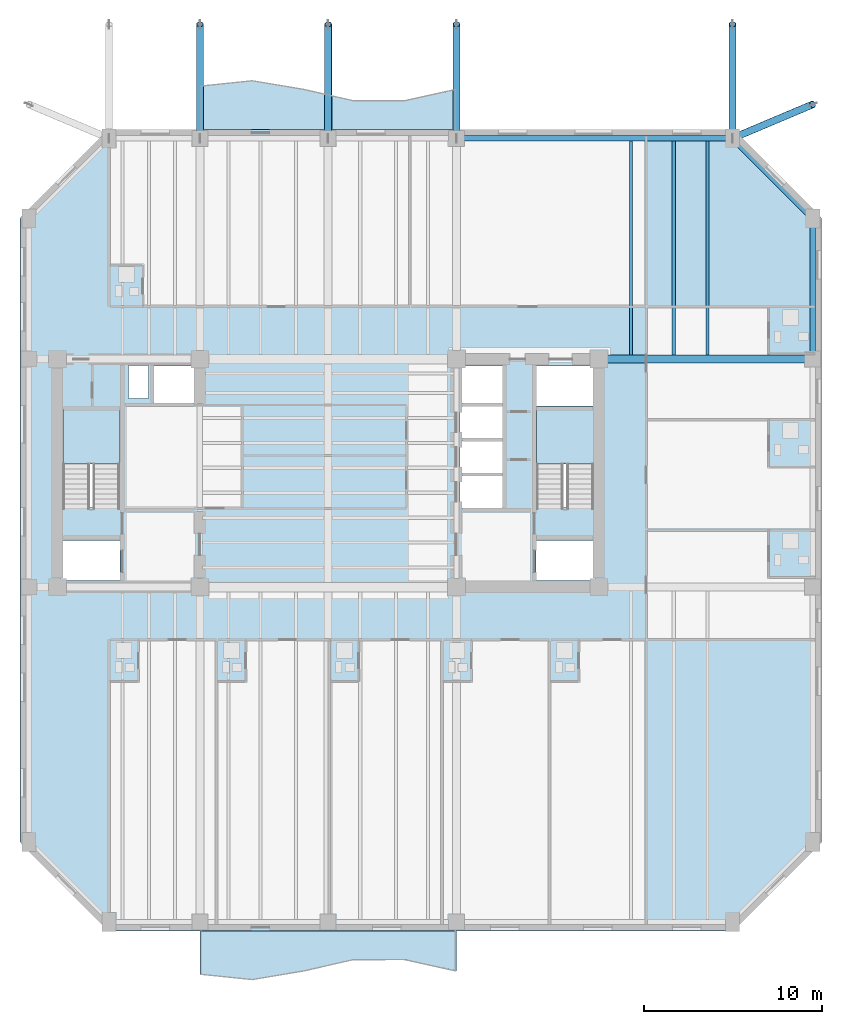
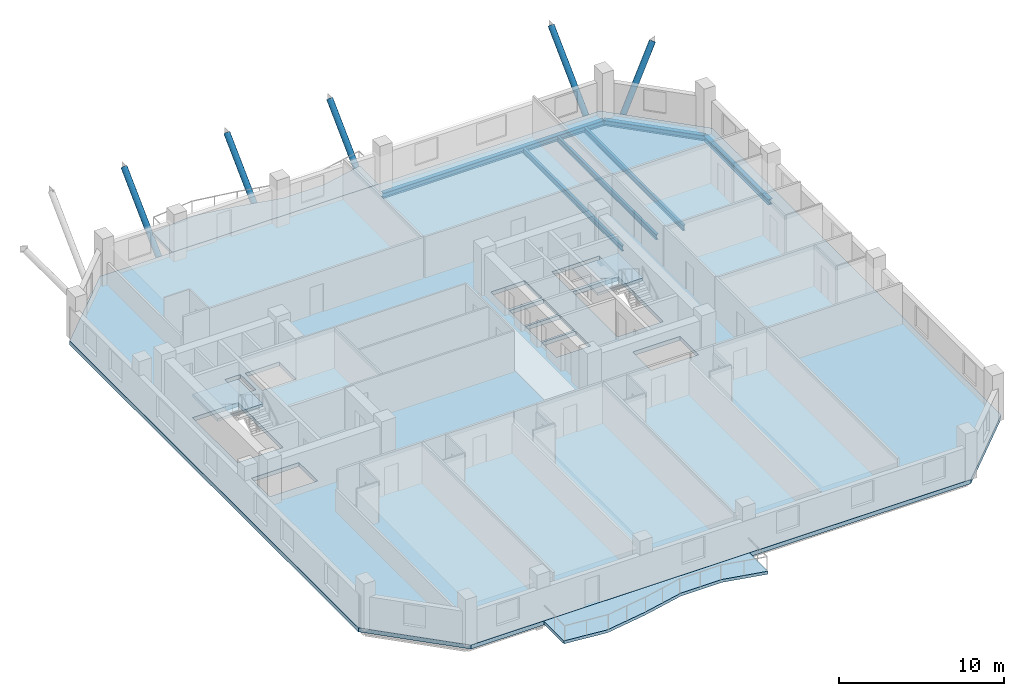
# One storey, part 2 of 12: 7 beams, 5 members, 5 slabs, 2 elements without a shape of their own.
"""IFC4 building model written with IfcOpenShell, lengths in metres."""

from ifc_helpers import new_model, si_unit, direction, frame, origin, origin_2d, place, context, subcontext, project, spatial, polyline, rectangle, hollow_circle, i_section, outline, extrude, material, layer, layer_set, material_profile, profile_set, type_object, element, aggregate, save


model = new_model("IFC4")

# Units and contexts
model_context = context("Model", 3, precision=1e-05, world=origin(), true_north=direction((0.0, 1.0)))
body_context = subcontext(model_context, "Body", "Model", "MODEL_VIEW")
ifc_project = project(units=[si_unit("LENGTHUNIT", "METRE"), si_unit("AREAUNIT", "SQUARE_METRE"), si_unit("VOLUMEUNIT", "CUBIC_METRE"), si_unit("PLANEANGLEUNIT", "RADIAN"), si_unit("MASSUNIT", "GRAM", prefix="KILO")], contexts=[model_context])

# Site, building, storey
site_placement = place(None, origin())
site = spatial("IfcSite", under=ifc_project, at=site_placement, CompositionType="ELEMENT")
building_placement = place(site_placement, origin())
building = spatial("IfcBuilding", under=site, at=building_placement, Name="Kranthara Brick Stack", CompositionType="ELEMENT")
storey_placement = place(building_placement, frame((0.0, 0.0, 158.800048828125)))
storey = spatial("IfcBuildingStorey", under=building, at=storey_placement, Name="L40", CompositionType="ELEMENT", Elevation=158.800048828125)

# Beams
ifc_material_1 = material(Name="Post-tensioned concrete C45/55", Category="concrete")
ifc_material_profile_1 = material_profile(ifc_material_1, rectangle(XDim=0.449951171875, YDim=0.64990234375, at=origin_2d()), Name="PT 450x650")
ifc_profile_set_1 = profile_set([ifc_material_profile_1], Name="Post-tensioned concrete C45/55")
beam_type_1 = type_object("IfcBeamType", Name="BM-FLR-PT650", PredefinedType="BEAM", material=ifc_profile_set_1)
beam_1_placement = place(storey_placement, frame((43.199951171875, 33.60009765625, -0.625), z_axis=(1.0, 0.0, 0.0), x_axis=(0.0, 1.0, 0.0)))
element("IfcBeam", 1, at=beam_1_placement, inside=storey, type_object=beam_type_1, Name="L40 Primary Grid Girder 033", PredefinedType="BEAM", context=body_context, shape_type="SweptSolid", body=[
    extrude(rectangle(XDim=0.449951171875, YDim=0.64990234375, at=origin_2d()), origin(), (0.0, 0.0, 1.0), 12.0),
])
ifc_material_2 = material(Name="Steel S355", Category="steel")
ifc_material_profile_2 = material_profile(ifc_material_2, i_section(OverallWidth=0.179931640625, OverallDepth=0.39990234375, WebThickness=0.008544921875, FlangeThickness=0.013427734375, at=origin_2d()), Name="IPE 400")
ifc_profile_set_2 = profile_set([ifc_material_profile_2], Name="Steel S355")
beam_type_2 = type_object("IfcBeamType", Name="BM-JST-IPE400", PredefinedType="JOIST", material=ifc_profile_set_2)
for number, where, z_axis, x_axis, name in (
    (2, (45.0, 33.824951171875, -0.5), (0.0, 1.0, 0.0), (-1.0, 0.0, 0.0), "L40 North Wing Floor Joist 071"),
    (3, (47.39990234375, 33.824951171875, -0.5), (0.0, 1.0, 0.0), (-1.0, 0.0, 0.0), "L40 North Wing Floor Joist 073"),
    (4, (49.300048828125, 33.824951171875, -0.5), (0.0, 1.0, 0.0), (-1.0, 0.0, 0.0), "L40 North Wing Floor Joist 075"),
):
    element("IfcBeam", number, at=place(storey_placement, frame(where, z_axis=z_axis, x_axis=x_axis)), inside=storey, type_object=beam_type_2, Name=name, PredefinedType="JOIST", context=body_context, shape_type="SweptSolid", body=[
        extrude(i_section(OverallWidth=0.179931640625, OverallDepth=0.39990234375, WebThickness=0.008544921875, FlangeThickness=0.013427734375, at=origin_2d()), origin(), (0.0, 0.0, 1.0), 12.025146484375),
    ])
ifc_material_3 = material(Name="Steel S355", Category="steel")
ifc_material_profile_3 = material_profile(ifc_material_3, i_section(OverallWidth=0.300048828125, OverallDepth=0.39990234375, WebThickness=0.013427734375, FlangeThickness=0.02392578125, at=origin_2d()), Name="HEB 400")
ifc_profile_set_3 = profile_set([ifc_material_profile_3], Name="Steel S355")
beam_type_3 = type_object("IfcBeamType", Name="BM-STL-HEB400", PredefinedType="SPANDREL", material=ifc_profile_set_3)
beam_2_placement = place(storey_placement, frame((35.199951171875, 46.0, -0.5), z_axis=(1.0, 0.0, 0.0), x_axis=(0.0, 1.0, 0.0)))
element("IfcBeam", 5, at=beam_2_placement, inside=storey, type_object=beam_type_3, Name="L40 Perimeter Spandrel Beam 012", PredefinedType="SPANDREL", context=body_context, shape_type="SweptSolid", body=[
    extrude(i_section(OverallWidth=0.300048828125, OverallDepth=0.39990234375, WebThickness=0.013427734375, FlangeThickness=0.02392578125, at=origin_2d()), origin(), (0.0, 0.0, 1.0), 15.5),
])
beam_3_placement = place(storey_placement, frame((55.199951171875, 33.60009765625, -0.5), z_axis=(0.0, 1.0, 0.0), x_axis=(-1.0, 0.0, 0.0)))
element("IfcBeam", 6, at=beam_3_placement, inside=storey, type_object=beam_type_3, Name="L40 Perimeter Spandrel Beam 018", PredefinedType="SPANDREL", context=body_context, shape_type="SweptSolid", body=[
    extrude(i_section(OverallWidth=0.300048828125, OverallDepth=0.39990234375, WebThickness=0.013427734375, FlangeThickness=0.02392578125, at=origin_2d()), origin(), (0.0, 0.0, 1.0), 7.89990234375),
])
beam_4_placement = place(storey_placement, frame((50.699951171875, 46.0, -0.5), z_axis=(0.707106781187, -0.707106781187, 0.0), x_axis=(0.707106781187, 0.707106781187, 0.0)))
element("IfcBeam", 7, at=beam_4_placement, inside=storey, type_object=beam_type_3, Name="L40 Chamfer Corner Spandrel 022", PredefinedType="SPANDREL", context=body_context, shape_type="SweptSolid", body=[
    extrude(i_section(OverallWidth=0.300048828125, OverallDepth=0.39990234375, WebThickness=0.013427734375, FlangeThickness=0.02392578125, at=origin_2d()), origin(), (0.0, 0.0, 1.0), 6.364013671875),
])

# Members
ifc_material_4 = material(Name="Steel S460", Category="steel")
ifc_material_profile_4 = material_profile(ifc_material_4, hollow_circle(Radius=0.203125, WallThickness=0.02001953125, at=origin_2d()), Name="CHS 406.4x20")
ifc_profile_set_4 = profile_set([ifc_material_profile_4], Name="Steel S460")
member_type = type_object("IfcMemberType", Name="MB-STR-CHS406", PredefinedType="STRUT", material=ifc_profile_set_4)
for number, where, z_axis, x_axis, name in (
    (8, (20.800048828125, 46.0, -3.5), (0.0, 0.715435821946, 0.698678455856), (-1.0, 0.0, 0.0), "L41 Jenga Raked Transfer Strut 34"),
    (9, (28.0, 46.0, -3.5), (0.0, 0.715435821946, 0.698678455856), (-1.0, 0.0, 0.0), "L41 Jenga Raked Transfer Strut 35"),
    (10, (35.199951171875, 46.0, -3.5), (0.0, 0.715435821946, 0.698678455856), (-1.0, 0.0, 0.0), "L41 Jenga Raked Transfer Strut 36"),
    (11, (50.699951171875, 46.0, -3.5), (0.0, 0.715435821946, 0.698678455856), (-1.0, 0.0, 0.0), "L41 Jenga Raked Transfer Strut 37"),
):
    element("IfcMember", number, at=place(storey_placement, frame(where, z_axis=z_axis, x_axis=x_axis)), inside=storey, type_object=member_type, Name=name, PredefinedType="STRUT", context=body_context, shape_type="SweptSolid", body=[
        extrude(hollow_circle(Radius=0.203125, WallThickness=0.02001953125, at=origin_2d()), origin(), (0.0, 0.0, 1.0), 8.945556640625),
    ])
member_placement = place(storey_placement, frame((50.699951171875, 46.0, -3.5), z_axis=(0.567297421614, 0.239513266873, 0.787913085576), x_axis=(-0.388955069282, 0.921256725392, 0.0)))
element("IfcMember", 12, at=member_placement, inside=storey, type_object=member_type, Name="L41 Jenga Raked Transfer Strut 39", PredefinedType="STRUT", context=body_context, shape_type="SweptSolid", body=[
    extrude(hollow_circle(Radius=0.203125, WallThickness=0.02001953125, at=origin_2d()), origin(), (0.0, 0.0, 1.0), 7.932373046875),
])

# Slabs
ifc_material_5 = material(Name="Concrete C45/55", Category="concrete")
ifc_layer_1 = layer(ifc_material_5, 0.219970703125)
ifc_layer_set_1 = layer_set([ifc_layer_1], Name="Concrete C45/55")
slab_type_1 = type_object("IfcSlabType", Name="SLB-BALC-220", PredefinedType="FLOOR", material=ifc_layer_set_1)
slab_1_placement = place(storey_placement, frame((0.0, 0.0, -0.219970703125)))
element("IfcSlab", 13, at=slab_1_placement, inside=storey, type_object=slab_type_1, Name="L40 South Rippling Balcony Slab", PredefinedType="FLOOR", context=body_context, shape_type="SweptSolid", body=[
    extrude(outline(polyline([(20.800048828125, 1.5), (35.199951171875, 1.5), (35.199951171875, -0.744873046875), (32.320068359375, -0.099853515625), (29.43994140625, -0.115234375), (26.56005859375, -0.771728515625), (23.679931640625, -1.24365234375), (20.800048828125, -0.9375), (20.800048828125, 1.5)])), origin(), (0.0, 0.0, 1.0), 0.219970703125),
])
slab_2_placement = place(storey_placement, frame((0.0, 0.0, -0.219970703125)))
element("IfcSlab", 14, at=slab_2_placement, inside=storey, type_object=slab_type_1, Name="L40 North Rippling Balcony Slab", PredefinedType="FLOOR", context=body_context, shape_type="SweptSolid", body=[
    extrude(outline(polyline([(35.199951171875, 46.5), (20.800048828125, 46.5), (20.800048828125, 48.9375), (23.679931640625, 49.24365234375), (26.56005859375, 48.771728515625), (29.43994140625, 48.115234375), (32.320068359375, 48.099853515625), (35.199951171875, 48.744873046875), (35.199951171875, 46.5)])), origin(), (0.0, 0.0, 1.0), 0.219970703125),
])

# Stair, slab
ifc_material_6 = material(Name="Concrete C45/55", Category="concrete")
stair_type = type_object("IfcStairType", Name="ST-CORE-20R", PredefinedType="HALF_TURN_STAIR", material=ifc_material_6)
stair_1_placement = place(storey_placement, origin())
stair_1 = element("IfcStair", 15, at=stair_1_placement, inside=storey, type_object=stair_type, Name="L40 West Core Protected Exit Stair ST01", PredefinedType="HALF_TURN_STAIR")
ifc_material_7 = material(Name="Concrete C45/55", Category="concrete")
ifc_layer_2 = layer(ifc_material_7, 0.199951171875)
ifc_layer_set_2 = layer_set([ifc_layer_2], Name="Concrete C45/55")
slab_type_2 = type_object("IfcSlabType", Name="SLB-LANDING-200", PredefinedType="LANDING", material=ifc_layer_set_2)
slab_3_placement = place(storey_placement, frame((0.0, 0.0, 1.550048828125)))
slab_3 = element("IfcSlab", 16, at=slab_3_placement, type_object=slab_type_2, Name="ST01 landing 1", PredefinedType="LANDING", context=body_context, shape_type="SweptSolid", body=[
    extrude(outline(polyline([(16.300048828125, 27.719970703125), (16.300048828125, 30.75), (13.10009765625, 30.75), (13.10009765625, 27.719970703125), (16.300048828125, 27.719970703125)])), origin(), (0.0, 0.0, 1.0), 0.199951171875),
])
aggregate(stair_1, [slab_3])

stair_2_placement = place(storey_placement, origin())
stair_2 = element("IfcStair", 17, at=stair_2_placement, inside=storey, type_object=stair_type, Name="L40 East Core Protected Exit Stair ST02", PredefinedType="HALF_TURN_STAIR")
slab_4_placement = place(storey_placement, frame((0.0, 0.0, 1.550048828125)))
slab_4 = element("IfcSlab", 18, at=slab_4_placement, type_object=slab_type_2, Name="ST02 landing 1", PredefinedType="LANDING", context=body_context, shape_type="SweptSolid", body=[
    extrude(outline(polyline([(42.89990234375, 27.719970703125), (42.89990234375, 30.75), (39.699951171875, 30.75), (39.699951171875, 27.719970703125), (42.89990234375, 27.719970703125)])), origin(), (0.0, 0.0, 1.0), 0.199951171875),
])
aggregate(stair_2, [slab_4])

# Slab
ifc_material_8 = material(Name="Post-tensioned concrete C45/55", Category="concrete")
ifc_layer_3 = layer(ifc_material_8, 0.300048828125)
ifc_layer_set_3 = layer_set([ifc_layer_3], Name="Post-tensioned concrete C45/55")
slab_type_3 = type_object("IfcSlabType", Name="SLB-TWR-300", PredefinedType="FLOOR", material=ifc_layer_set_3)
slab_5_placement = place(storey_placement, frame((0.0, 0.0, -0.300048828125)))
element("IfcSlab", 19, at=slab_5_placement, inside=storey, type_object=slab_type_3, Name="L40 Structural Floor Plate", PredefinedType="FLOOR", context=body_context, shape_type="SweptSolid", body=[
    extrude(outline(polyline([(15.699951171875, 1.5), (50.699951171875, 1.5), (55.699951171875, 6.5), (55.699951171875, 41.5), (50.699951171875, 46.5), (15.699951171875, 46.5), (10.699951171875, 41.5), (10.699951171875, 6.5), (15.699951171875, 1.5)]), holes=[polyline([(13.10009765625, 25.280029296875), (16.300048828125, 25.280029296875), (16.300048828125, 30.75), (13.10009765625, 30.75), (13.10009765625, 25.280029296875)]), polyline([(39.699951171875, 25.280029296875), (42.89990234375, 25.280029296875), (42.89990234375, 30.75), (39.699951171875, 30.75), (39.699951171875, 25.280029296875)]), polyline([(13.0, 21.179931640625), (16.320068359375, 21.179931640625), (16.320068359375, 23.419921875), (13.0, 23.419921875), (13.0, 21.179931640625)]), polyline([(39.679931640625, 21.179931640625), (43.0, 21.179931640625), (43.0, 23.419921875), (39.679931640625, 23.419921875), (39.679931640625, 21.179931640625)]), polyline([(39.679931640625, 30.97998046875), (43.0, 30.97998046875), (43.0, 33.219970703125), (39.679931640625, 33.219970703125), (39.679931640625, 30.97998046875)]), polyline([(35.39990234375, 25.25), (37.800048828125, 25.25), (37.800048828125, 27.050048828125), (35.39990234375, 27.050048828125), (35.39990234375, 25.25)]), polyline([(35.39990234375, 27.199951171875), (37.800048828125, 27.199951171875), (37.800048828125, 29.0), (35.39990234375, 29.0), (35.39990234375, 27.199951171875)]), polyline([(35.39990234375, 29.14990234375), (37.800048828125, 29.14990234375), (37.800048828125, 30.949951171875), (35.39990234375, 30.949951171875), (35.39990234375, 29.14990234375)]), polyline([(18.199951171875, 31.14990234375), (20.60009765625, 31.14990234375), (20.60009765625, 33.219970703125), (18.199951171875, 33.219970703125), (18.199951171875, 31.14990234375)]), polyline([(35.39990234375, 31.14990234375), (37.800048828125, 31.14990234375), (37.800048828125, 33.219970703125), (35.39990234375, 33.219970703125), (35.39990234375, 31.14990234375)]), polyline([(16.800048828125, 31.39990234375), (17.89990234375, 31.39990234375), (17.89990234375, 33.25), (16.800048828125, 33.25), (16.800048828125, 31.39990234375)])]), origin(), (0.0, 0.0, 1.0), 0.300048828125),
])

save(model, "model.ifc")
